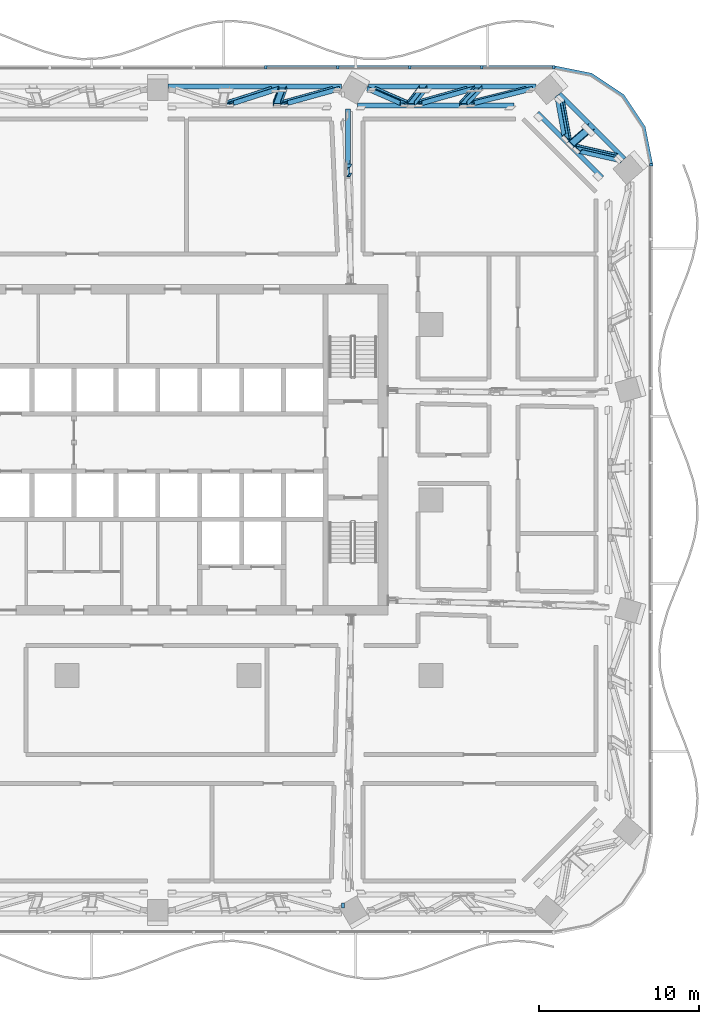
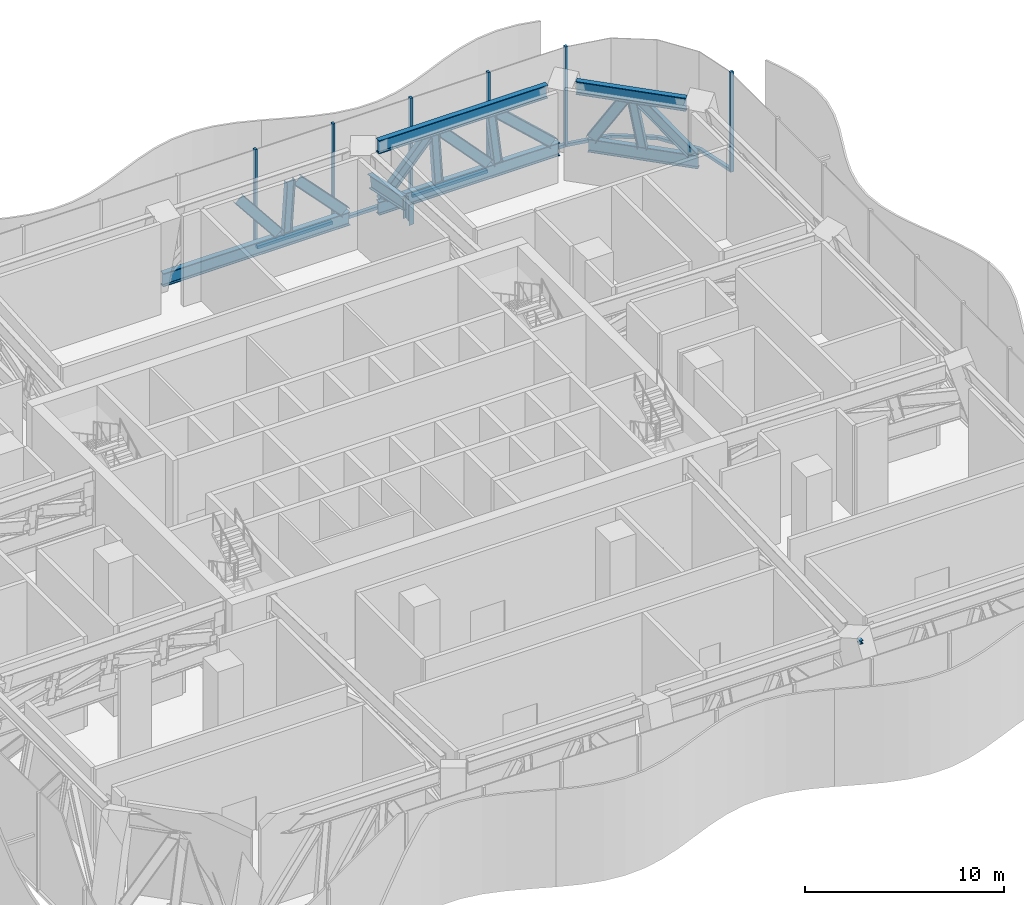
# One storey, part 8 of 32: 29 members, 1 beam, 3 elements without a shape of their own.
"""IFC4 building model written with IfcOpenShell, lengths in metres."""

import ifcopenshell
import ifcopenshell.guid

model = None  # the IFC model being written
_history = None  # IfcOwnerHistory: only IFC2X3 demands one
_inside = {}  # id of a spatial element -> (the spatial element, [elements in it])
_under = {}  # id of a project, library or spatial element -> (it, [spatial elements below it])
_declared = {}  # id of a project -> (the project, [libraries it declares])
_typed = {}  # id of a type object -> (the type object, [elements of that type])
_made_of = {}  # id of a material, layer set ... -> (it, [elements and type objects made of it])


def new_model(schema):
    """Start an empty IFC model of exactly this schema.

    Asked for "IFC4X3", IfcOpenShell would pick the latest addendum, in which some entities
    have other attributes; the version numbers below select the first issue.
    IFC2X3 requires an IfcOwnerHistory on every rooted entity: one is made here for all.
    """
    global model, _history
    if schema == "IFC4X3":
        model = ifcopenshell.file(schema_version=(4, 3, 0, 0))
    else:
        model = ifcopenshell.file(schema=schema)
    _inside.clear()
    _under.clear()
    _declared.clear()
    _typed.clear()
    _made_of.clear()
    _history = None
    if model.schema == "IFC2X3":
        org = make("IfcOrganization", Name="unknown")
        user = make(
            "IfcPersonAndOrganization",
            ThePerson=make("IfcPerson", FamilyName="unknown"),
            TheOrganization=org,
        )
        app = make(
            "IfcApplication",
            ApplicationDeveloper=org,
            Version="unknown",
            ApplicationFullName="unknown",
            ApplicationIdentifier="unknown",
        )
        _history = make(
            "IfcOwnerHistory",
            OwningUser=user,
            OwningApplication=app,
            ChangeAction="ADDED",
            CreationDate=0,
        )
    return model


def make(cls, **values):
    """One entity of the class cls with the attributes given. An attribute that is None is left unset."""
    return model.create_entity(
        cls, **{name: value for name, value in values.items() if value is not None}
    )


def rooted(cls, **values):
    """An entity with a GlobalId (a new one), such as an element, a storey or a relation."""
    return make(cls, GlobalId=ifcopenshell.guid.new(), OwnerHistory=_history, **values)


def si_unit(unit_type, name, prefix=None):
    """IfcSIUnit, for example si_unit("LENGTHUNIT", "METRE", prefix="MILLI")."""
    return make("IfcSIUnit", UnitType=unit_type, Prefix=prefix, Name=name)


def assignment(units):
    """IfcUnitAssignment: the units of a project."""
    return None if units is None else make("IfcUnitAssignment", Units=units)


def point(xyz):
    """IfcCartesianPoint."""
    return None if xyz is None else make("IfcCartesianPoint", Coordinates=xyz)


def direction(xyz):
    """IfcDirection."""
    return None if xyz is None else make("IfcDirection", DirectionRatios=xyz)


def frame(location, z_axis=None, x_axis=None):
    """IfcAxis2Placement3D, a coordinate frame: its origin and axes. An axis left out is left unset."""
    return make(
        "IfcAxis2Placement3D",
        Location=point(location),
        Axis=direction(z_axis),
        RefDirection=direction(x_axis),
    )


def frame_2d(location, x_axis=None):
    """IfcAxis2Placement2D, a coordinate frame in the plane: its origin and x axis."""
    return make(
        "IfcAxis2Placement2D", Location=point(location), RefDirection=direction(x_axis)
    )


def origin():
    """The frame at (0, 0, 0) with its axes left unset."""
    return frame((0.0, 0.0, 0.0))


def origin_2d():
    """The frame at (0, 0) in the plane with its x axis left unset."""
    return frame_2d((0.0, 0.0))


def place(relative_to, where):
    """IfcLocalPlacement: puts the frame where relative to a parent placement (None: the world)."""
    return make(
        "IfcLocalPlacement", PlacementRelTo=relative_to, RelativePlacement=where
    )


def context(
    kind, dimensions, precision=None, world=None, true_north=None, identifier=None
):
    """IfcGeometricRepresentationContext, for example the 3D "Model" context."""
    return make(
        "IfcGeometricRepresentationContext",
        ContextIdentifier=identifier,
        ContextType=kind,
        CoordinateSpaceDimension=dimensions,
        Precision=precision,
        WorldCoordinateSystem=world,
        TrueNorth=true_north,
    )


def subcontext(parent, identifier, kind, view, scale=None):
    """IfcGeometricRepresentationSubContext, for example "Body" below "Model"."""
    return make(
        "IfcGeometricRepresentationSubContext",
        ContextIdentifier=identifier,
        ContextType=kind,
        ParentContext=parent,
        TargetScale=scale,
        TargetView=view,
    )


def project(units=None, contexts=None):
    """IfcProject with its units and contexts."""
    return rooted(
        "IfcProject",
        Name="project",
        RepresentationContexts=contexts,
        UnitsInContext=assignment(units),
    )


def spatial(cls, under=None, at=None, **own):
    """A site, building, storey or space (cls), placed at a placement, below another one or the project."""
    s = rooted(cls, ObjectPlacement=at, **own)
    if under is not None:
        _under.setdefault(under.id(), (under, []))[1].append(s)
    return s


def polyline(points):
    """IfcPolyline through the points."""
    return make("IfcPolyline", Points=[point(p) for p in points])


def profile(cls, at=None, kind="AREA", **sizes):
    """A parametric profile (cls). Its sizes go by their IFC names, for example OverallWidth=200.0."""
    return make(cls, ProfileType=kind, Position=at, **sizes)


def rectangle(**sizes):
    """IfcRectangleProfileDef."""
    return profile("IfcRectangleProfileDef", **sizes)


def i_section(**sizes):
    """IfcIShapeProfileDef."""
    return profile("IfcIShapeProfileDef", **sizes)


def outline(outer, holes=None, kind="AREA"):
    """IfcArbitraryClosedProfileDef: a profile drawn as a closed curve; with holes, ...WithVoids."""
    if holes is None:
        return make("IfcArbitraryClosedProfileDef", ProfileType=kind, OuterCurve=outer)
    return make(
        "IfcArbitraryProfileDefWithVoids",
        ProfileType=kind,
        OuterCurve=outer,
        InnerCurves=holes,
    )


def extrude(swept, where, along, depth):
    """IfcExtrudedAreaSolid: the profile swept, set in the frame where, extruded along a direction by depth."""
    return make(
        "IfcExtrudedAreaSolid",
        SweptArea=swept,
        Position=where,
        ExtrudedDirection=direction(along),
        Depth=depth,
    )


def shape(context_of_items, identifier, shape_type, items):
    """IfcShapeRepresentation: the items that make up one representation, for example the "Body"."""
    return make(
        "IfcShapeRepresentation",
        ContextOfItems=context_of_items,
        RepresentationIdentifier=identifier,
        RepresentationType=shape_type,
        Items=items,
    )


def material(Name=None, Category=None):
    """IfcMaterial."""
    return make("IfcMaterial", Name=Name, Category=Category)


def material_profile(
    of_material, cross_section, Name=None, Category=None, Priority=None
):
    """IfcMaterialProfile: a cross section and its material."""
    return make(
        "IfcMaterialProfile",
        Name=Name,
        Material=of_material,
        Profile=cross_section,
        Priority=Priority,
        Category=Category,
    )


def profile_set(profiles, Name=None, composite=None):
    """IfcMaterialProfileSet."""
    return make(
        "IfcMaterialProfileSet",
        Name=Name,
        MaterialProfiles=profiles,
        CompositeProfile=composite,
    )


def made_of(thing, what):
    """Note that an element or type object is made of a material, layer set ...; save() writes the relation."""
    if what is not None:
        _made_of.setdefault(what.id(), (what, []))[1].append(thing)
    return thing


def type_object(cls, material=None, **own):
    """A type object (cls), such as IfcWallType, which elements share."""
    return made_of(rooted(cls, **own), material)


def element(
    cls,
    number,
    at=None,
    inside=None,
    cuts=None,
    type_object=None,
    material=None,
    context=None,
    identifier="Body",
    shape_type=None,
    held_by="IfcProductDefinitionShape",
    body=None,
    shapes=None,
    **own,
):
    """One element of the class cls, such as IfcWall. Its Tag is "e" and its number.

    at: its placement. inside: the storey or other place that contains it. cuts: it is an
    opening in that element (IfcRelVoidsElement). A single representation is given by context,
    identifier, shape_type and body (its items); several are given by shapes. held_by: the class
    of the entity that holds the representations. save() writes the other relations.
    """
    e = rooted(cls, Tag="e%d" % number, ObjectPlacement=at, **own)
    if body is not None:
        shapes = [shape(context, identifier, shape_type, body)]
    if shapes is not None:
        e.Representation = make(held_by, Representations=shapes)
    if inside is not None:
        _inside.setdefault(inside.id(), (inside, []))[1].append(e)
    if cuts is not None:
        rooted(
            "IfcRelVoidsElement", RelatingBuildingElement=cuts, RelatedOpeningElement=e
        )
    if type_object is not None:
        _typed.setdefault(type_object.id(), (type_object, []))[1].append(e)
    return made_of(e, material)


def aggregate(whole, parts):
    """IfcRelAggregates: a whole, such as a stair, and the parts it consists of."""
    return rooted("IfcRelAggregates", RelatingObject=whole, RelatedObjects=parts)


def save(model, path):
    """Write the relations noted so far, then the file.

    IfcRelAggregates (storeys below a building ...), IfcRelContainedInSpatialStructure (elements
    in a storey), IfcRelDefinesByType, IfcRelAssociatesMaterial and IfcRelDeclares: one each for
    every whole, place, type object, material and project.
    """
    for whole, parts in _under.values():
        aggregate(whole, parts)
    for where, things in _inside.values():
        rooted(
            "IfcRelContainedInSpatialStructure",
            RelatedElements=things,
            RelatingStructure=where,
        )
    for kind, things in _typed.values():
        rooted("IfcRelDefinesByType", RelatedObjects=things, RelatingType=kind)
    for what, things in _made_of.values():
        rooted("IfcRelAssociatesMaterial", RelatedObjects=things, RelatingMaterial=what)
    for by, libraries in _declared.values():
        rooted("IfcRelDeclares", RelatingContext=by, RelatedDefinitions=libraries)
    model.write(path)


model = new_model("IFC4")

# Units and contexts
model_context = context("Model", 3, precision=1e-05, world=origin(), true_north=direction((0.0, 1.0)))
body_context = subcontext(model_context, "Body", "Model", "MODEL_VIEW")
ifc_project = project(units=[si_unit("LENGTHUNIT", "METRE"), si_unit("AREAUNIT", "SQUARE_METRE"), si_unit("VOLUMEUNIT", "CUBIC_METRE"), si_unit("PLANEANGLEUNIT", "RADIAN"), si_unit("MASSUNIT", "GRAM", prefix="KILO")], contexts=[model_context])

# Site, building, storey
site_placement = place(None, origin())
site = spatial("IfcSite", under=ifc_project, at=site_placement, CompositionType="ELEMENT")
building_placement = place(site_placement, origin())
building = spatial("IfcBuilding", under=site, at=building_placement, Name="Mopane Tessera Tower", CompositionType="ELEMENT")
storey_placement = place(building_placement, frame((0.0, 0.0, 88.60009765625)))
storey = spatial("IfcBuildingStorey", under=building, at=storey_placement, Name="L17", CompositionType="ELEMENT", Elevation=88.60009765625)

# Curtain wall, member
ifc_material_1 = material(Name="Aluminium frame", Category="aluminium")
curtain_wall_type = type_object("IfcCurtainWallType", Name="Plant floor unitised wall", PredefinedType="NOTDEFINED", material=ifc_material_1)
curtain_wall_1_placement = place(storey_placement, origin())
curtain_wall_1 = element("IfcCurtainWall", 1, at=curtain_wall_1_placement, inside=storey, type_object=curtain_wall_type, Name="e:cw:L17:E:0", PredefinedType="NOTDEFINED")
ifc_material_2 = material(Name="Aluminium frame", Category="aluminium")
ifc_material_profile_1 = material_profile(ifc_material_2, rectangle(XDim=0.139892578125, YDim=0.199951171875, at=origin_2d()))
ifc_profile_set_1 = profile_set([ifc_material_profile_1], Name="Aluminium frame")
member_type_1 = type_object("IfcMemberType", Name="Aluminium mullion 140 x 200", PredefinedType="MULLION", material=ifc_profile_set_1)
member_1_placement = place(storey_placement, frame((30.89990234375, 21.0, -0.60009765625), z_axis=(0.0, 0.0, 1.0), x_axis=(0.0, 1.0, 0.0)))
member_1 = element("IfcMember", 2, at=member_1_placement, type_object=member_type_1, Name="e:cw:L17:E:0:mu9", PredefinedType="MULLION", context=body_context, shape_type="SweptSolid", body=[
    extrude(rectangle(XDim=0.139892578125, YDim=0.199951171875, at=origin_2d()), origin(), (0.0, 0.0, 1.0), 6.14990234375),
])
aggregate(curtain_wall_1, [member_1])

# Curtain wall, members
curtain_wall_2_placement = place(storey_placement, origin())
curtain_wall_2 = element("IfcCurtainWall", 3, at=curtain_wall_2_placement, inside=storey, type_object=curtain_wall_type, Name="e:cw:L17:N:0", PredefinedType="NOTDEFINED")
member_2_placement = place(storey_placement, frame((24.800048828125, 27.10009765625, -0.60009765625), z_axis=(0.0, 0.0, 1.0), x_axis=(-1.0, 0.0, 0.0)))
member_2 = element("IfcMember", 4, at=member_2_placement, type_object=member_type_1, Name="e:cw:L17:N:0:mu0", PredefinedType="MULLION", context=body_context, shape_type="SweptSolid", body=[
    extrude(rectangle(XDim=0.139892578125, YDim=0.199951171875, at=origin_2d()), origin(), (0.0, 0.0, 1.0), 6.14990234375),
])
member_3_placement = place(storey_placement, frame((20.291015625, 27.10009765625, -0.60009765625), z_axis=(0.0, 0.0, 1.0), x_axis=(-1.0, 0.0, 0.0)))
member_3 = element("IfcMember", 5, at=member_3_placement, type_object=member_type_1, Name="e:cw:L17:N:0:mu1", PredefinedType="MULLION", context=body_context, shape_type="SweptSolid", body=[
    extrude(rectangle(XDim=0.139892578125, YDim=0.199951171875, at=origin_2d()), origin(), (0.0, 0.0, 1.0), 6.14990234375),
])
member_4_placement = place(storey_placement, frame((15.78173828125, 27.10009765625, -0.60009765625), z_axis=(0.0, 0.0, 1.0), x_axis=(-1.0, 0.0, 0.0)))
member_4 = element("IfcMember", 6, at=member_4_placement, type_object=member_type_1, Name="e:cw:L17:N:0:mu2", PredefinedType="MULLION", context=body_context, shape_type="SweptSolid", body=[
    extrude(rectangle(XDim=0.139892578125, YDim=0.199951171875, at=origin_2d()), origin(), (0.0, 0.0, 1.0), 6.14990234375),
])
member_5_placement = place(storey_placement, frame((11.272705078125, 27.10009765625, -0.60009765625), z_axis=(0.0, 0.0, 1.0), x_axis=(-1.0, 0.0, 0.0)))
member_5 = element("IfcMember", 7, at=member_5_placement, type_object=member_type_1, Name="e:cw:L17:N:0:mu3", PredefinedType="MULLION", context=body_context, shape_type="SweptSolid", body=[
    extrude(rectangle(XDim=0.139892578125, YDim=0.199951171875, at=origin_2d()), origin(), (0.0, 0.0, 1.0), 6.14990234375),
])
member_6_placement = place(storey_placement, frame((6.763671875, 27.10009765625, -0.60009765625), z_axis=(0.0, 0.0, 1.0), x_axis=(-1.0, 0.0, 0.0)))
member_6 = element("IfcMember", 8, at=member_6_placement, type_object=member_type_1, Name="e:cw:L17:N:0:mu4", PredefinedType="MULLION", context=body_context, shape_type="SweptSolid", body=[
    extrude(rectangle(XDim=0.139892578125, YDim=0.199951171875, at=origin_2d()), origin(), (0.0, 0.0, 1.0), 6.14990234375),
])

# Curtain wall, member
curtain_wall_3_placement = place(storey_placement, origin())
curtain_wall_3 = element("IfcCurtainWall", 9, at=curtain_wall_3_placement, inside=storey, type_object=curtain_wall_type, Name="e:cw:L17:CE", PredefinedType="NOTDEFINED")
ifc_material_3 = material(Name="Aluminium frame", Category="aluminium")
ifc_material_profile_2 = material_profile(ifc_material_3, rectangle(XDim=0.199951171875, YDim=0.179931640625, at=origin_2d()))
ifc_profile_set_2 = profile_set([ifc_material_profile_2], Name="Aluminium frame")
member_type_2 = type_object("IfcMemberType", Name="Aluminium transom 200 x 180", PredefinedType="USERDEFINED", material=ifc_profile_set_2)
member_7_placement = place(storey_placement, frame((0.0, 0.0, -0.60009765625)))
member_7 = element("IfcMember", 10, at=member_7_placement, type_object=member_type_2, Name="e:cw:L17:CE:tr", ObjectType="TRANSOM", PredefinedType="USERDEFINED", context=body_context, shape_type="SweptSolid", body=[
    extrude(outline(polyline([(30.800048828125, 21.0), (30.34326171875, 23.296142578125), (29.042724609375, 25.24267578125), (27.09619140625, 26.543212890625), (24.800048828125, 27.0), (24.800048828125, 27.199951171875), (27.172607421875, 26.72802734375), (29.18408203125, 25.384033203125), (30.528076171875, 23.37255859375), (31.0, 21.0), (30.800048828125, 21.0)])), origin(), (0.0, 0.0, 1.0), 0.179931640625),
])
aggregate(curtain_wall_3, [member_7])

# Member
member_8_placement = place(storey_placement, frame((24.72998046875, 27.10009765625, -0.510009765625), z_axis=(-1.0, 0.0, 0.0), x_axis=(0.0, -1.0, 0.0)))
member_8 = element("IfcMember", 11, at=member_8_placement, type_object=member_type_2, Name="e:cw:L17:N:0:tr0", ObjectType="TRANSOM", PredefinedType="USERDEFINED", context=body_context, shape_type="SweptSolid", body=[
    extrude(rectangle(XDim=0.199951171875, YDim=0.179931640625, at=origin_2d()), origin(), (0.0, 0.0, 1.0), 4.369140625),
])

member_9_placement = place(storey_placement, frame((20.220947265625, 27.10009765625, -0.510009765625), z_axis=(-1.0, 0.0, 0.0), x_axis=(0.0, -1.0, 0.0)))
member_9 = element("IfcMember", 12, at=member_9_placement, type_object=member_type_2, Name="e:cw:L17:N:0:tr1", ObjectType="TRANSOM", PredefinedType="USERDEFINED", context=body_context, shape_type="SweptSolid", body=[
    extrude(rectangle(XDim=0.199951171875, YDim=0.179931640625, at=origin_2d()), origin(), (0.0, 0.0, 1.0), 4.369140625),
])

member_10_placement = place(storey_placement, frame((15.7119140625, 27.10009765625, -0.510009765625), z_axis=(-1.0, 0.0, 0.0), x_axis=(0.0, -1.0, 0.0)))
member_10 = element("IfcMember", 13, at=member_10_placement, type_object=member_type_2, Name="e:cw:L17:N:0:tr2", ObjectType="TRANSOM", PredefinedType="USERDEFINED", context=body_context, shape_type="SweptSolid", body=[
    extrude(rectangle(XDim=0.199951171875, YDim=0.179931640625, at=origin_2d()), origin(), (0.0, 0.0, 1.0), 4.369140625),
])

member_11_placement = place(storey_placement, frame((11.20263671875, 27.10009765625, -0.510009765625), z_axis=(-1.0, 0.0, 0.0), x_axis=(0.0, -1.0, 0.0)))
member_11 = element("IfcMember", 14, at=member_11_placement, type_object=member_type_2, Name="e:cw:L17:N:0:tr3", ObjectType="TRANSOM", PredefinedType="USERDEFINED", context=body_context, shape_type="SweptSolid", body=[
    extrude(rectangle(XDim=0.199951171875, YDim=0.179931640625, at=origin_2d()), origin(), (0.0, 0.0, 1.0), 4.368896484375),
])

aggregate(curtain_wall_2, [member_2, member_3, member_4, member_5, member_6, member_8, member_9, member_10, member_11])

# Members
ifc_material_4 = material(Name="Structural steel S460", Category="steel")
ifc_material_profile_3 = material_profile(ifc_material_4, i_section(OverallWidth=0.302978515625, OverallDepth=0.81396484375, WebThickness=0.02099609375, FlangeThickness=0.0400390625, FilletRadius=0.030029296875, at=origin_2d()))
ifc_profile_set_3 = profile_set([ifc_material_profile_3], Name="Structural steel S460")
member_type_3 = type_object("IfcMemberType", Name="Belt truss chord HE 800 M", PredefinedType="CHORD", material=ifc_profile_set_3)
for number, where, z_axis, x_axis, name in (
    (15, (29.21240234375, 21.3671875, 0.406982421875), (-0.707106781187, 0.707106781187, 0.0), (-0.707106781187, -0.707106781187, 0.0), "Belt truss bottom chord L17 E3-N0"),
    (16, (27.8310546875, 20.18310546875, 5.142822265625), (-0.707106781187, 0.707106781187, 0.0), (-0.707106781187, -0.707106781187, 0.0), "Belt truss top chord L17 E3-N0"),
):
    element("IfcMember", number, at=place(storey_placement, frame(where, z_axis=z_axis, x_axis=x_axis)), inside=storey, type_object=member_type_3, Name=name, PredefinedType="CHORD", context=body_context, shape_type="SweptSolid", body=[
        extrude(i_section(OverallWidth=0.302978515625, OverallDepth=0.81396484375, WebThickness=0.02099609375, FlangeThickness=0.0400390625, FilletRadius=0.030029296875, at=origin_2d()), origin(), (0.0, 0.0, 1.0), 5.744873046875),
    ])
member_12_placement = place(storey_placement, frame((23.68896484375, 25.898193359375, 0.406982421875), z_axis=(-1.0, 0.0, 0.0), x_axis=(0.0, -1.0, 0.0)))
element("IfcMember", 17, at=member_12_placement, inside=storey, type_object=member_type_3, Name="Belt truss bottom chord L17 N0-N1", PredefinedType="CHORD", context=body_context, shape_type="SweptSolid", body=[
    extrude(i_section(OverallWidth=0.302978515625, OverallDepth=0.81396484375, WebThickness=0.02099609375, FlangeThickness=0.0400390625, FilletRadius=0.030029296875, at=origin_2d()), origin(), (0.0, 0.0, 1.0), 10.508056640625),
])
member_13_placement = place(storey_placement, frame((22.3076171875, 24.71435546875, 5.142822265625), z_axis=(-1.0, 0.0, 0.0), x_axis=(0.0, -1.0, 0.0)))
element("IfcMember", 18, at=member_13_placement, inside=storey, type_object=member_type_3, Name="Belt truss top chord L17 N0-N1", PredefinedType="CHORD", context=body_context, shape_type="SweptSolid", body=[
    extrude(i_section(OverallWidth=0.302978515625, OverallDepth=0.81396484375, WebThickness=0.02099609375, FlangeThickness=0.0400390625, FilletRadius=0.030029296875, at=origin_2d()), origin(), (0.0, 0.0, 1.0), 9.8173828125),
])
member_14_placement = place(storey_placement, frame((11.500244140625, 25.898193359375, 0.406982421875), z_axis=(-1.0, 0.0, 0.0), x_axis=(0.0, -1.0, 0.0)))
element("IfcMember", 19, at=member_14_placement, inside=storey, type_object=member_type_3, Name="Belt truss bottom chord L17 N1-N2", PredefinedType="CHORD", context=body_context, shape_type="SweptSolid", body=[
    extrude(i_section(OverallWidth=0.302978515625, OverallDepth=0.81396484375, WebThickness=0.02099609375, FlangeThickness=0.0400390625, FilletRadius=0.030029296875, at=origin_2d()), origin(), (0.0, 0.0, 1.0), 10.850830078125),
])
ifc_material_5 = material(Name="Structural steel S460", Category="steel")
ifc_material_profile_4 = material_profile(ifc_material_5, i_section(OverallWidth=0.300048828125, OverallDepth=0.60009765625, WebThickness=0.015380859375, FlangeThickness=0.030029296875, FilletRadius=0.027099609375, at=origin_2d()))
ifc_profile_set_4 = profile_set([ifc_material_profile_4], Name="Structural steel S460")
member_type_4 = type_object("IfcMemberType", Name="Belt truss diagonal HE 600 B", PredefinedType="BRACE", material=ifc_profile_set_4)
member_15_placement = place(storey_placement, frame((28.890869140625, 21.40576171875, 0.929443359375), z_axis=(-0.569875535143, 0.130407528995, 0.811317293558), x_axis=(-0.557621124298, -0.786576730003, -0.265246544848)))
element("IfcMember", 20, at=member_15_placement, inside=storey, type_object=member_type_4, Name="Belt truss diagonal 0 L17 E3-N0", PredefinedType="BRACE", context=body_context, shape_type="SweptSolid", body=[
    extrude(i_section(OverallWidth=0.300048828125, OverallDepth=0.60009765625, WebThickness=0.015380859375, FlangeThickness=0.030029296875, FilletRadius=0.027099609375, at=origin_2d()), origin(), (0.0, 0.0, 1.0), 4.54931640625),
])
member_16_placement = place(storey_placement, frame((25.6064453125, 22.69091796875, 4.620361328125), z_axis=(-0.098851267283, 0.548569616047, -0.830240810432), x_axis=(-0.778985844771, -0.561817424332, -0.278464064761)))
element("IfcMember", 21, at=member_16_placement, inside=storey, type_object=member_type_4, Name="Belt truss diagonal 1 L17 E3-N0", PredefinedType="BRACE", context=body_context, shape_type="SweptSolid", body=[
    extrude(i_section(OverallWidth=0.300048828125, OverallDepth=0.60009765625, WebThickness=0.015380859375, FlangeThickness=0.030029296875, FilletRadius=0.027099609375, at=origin_2d()), origin(), (0.0, 0.0, 1.0), 4.445556640625),
])
member_17_placement = place(storey_placement, frame((23.262451171875, 25.7587890625, 0.96484375), z_axis=(-0.699650362609, -0.173288160232, 0.693152640928), x_axis=(0.123111197199, -0.984871165894, -0.121952530583)))
element("IfcMember", 22, at=member_17_placement, inside=storey, type_object=member_type_4, Name="Belt truss diagonal 0 L17 N0-N1", PredefinedType="BRACE", context=body_context, shape_type="SweptSolid", body=[
    extrude(i_section(OverallWidth=0.300048828125, OverallDepth=0.60009765625, WebThickness=0.015380859375, FlangeThickness=0.030029296875, FilletRadius=0.027099609375, at=origin_2d()), origin(), (0.0, 0.0, 1.0), 5.22265625),
])
member_18_placement = place(storey_placement, frame((19.562744140625, 25.76220703125, 0.950927734375), z_axis=(-0.653014036863, -0.183660197868, 0.734739136959), x_axis=(0.121992744875, -0.98298979207, -0.13729107358)))
element("IfcMember", 23, at=member_18_placement, inside=storey, type_object=member_type_4, Name="Belt truss diagonal 1 L17 N0-N1", PredefinedType="BRACE", context=body_context, shape_type="SweptSolid", body=[
    extrude(i_section(OverallWidth=0.300048828125, OverallDepth=0.60009765625, WebThickness=0.015380859375, FlangeThickness=0.030029296875, FilletRadius=0.027099609375, at=origin_2d()), origin(), (0.0, 0.0, 1.0), 4.96484375),
])
member_19_placement = place(storey_placement, frame((15.432373046875, 24.853759765625, 4.5849609375), z_axis=(-0.486371976666, 0.211915951751, -0.847663807006), x_axis=(-0.105491827337, -0.97728789438, -0.183792942911)))
element("IfcMember", 24, at=member_19_placement, inside=storey, type_object=member_type_4, Name="Belt truss diagonal 2 L17 N0-N1", PredefinedType="BRACE", context=body_context, shape_type="SweptSolid", body=[
    extrude(i_section(OverallWidth=0.300048828125, OverallDepth=0.60009765625, WebThickness=0.015380859375, FlangeThickness=0.030029296875, FilletRadius=0.027099609375, at=origin_2d()), origin(), (0.0, 0.0, 1.0), 4.270751953125),
])
member_20_placement = place(storey_placement, frame((11.16748046875, 25.757080078125, 0.97119140625), z_axis=(-0.658870753791, -0.182448917879, 0.729795671516), x_axis=(0.122259863731, -0.983215333665, -0.135425748537)))
element("IfcMember", 25, at=member_20_placement, inside=storey, type_object=member_type_4, Name="Belt truss diagonal 0 L17 N1-N2", PredefinedType="BRACE", context=body_context, shape_type="SweptSolid", body=[
    extrude(i_section(OverallWidth=0.300048828125, OverallDepth=0.60009765625, WebThickness=0.015380859375, FlangeThickness=0.030029296875, FilletRadius=0.027099609375, at=origin_2d()), origin(), (0.0, 0.0, 1.0), 4.943115234375),
])
member_21_placement = place(storey_placement, frame((7.345947265625, 25.760498046875, 0.957763671875), z_axis=(-0.603618158077, -0.193342787828, 0.773475071114), x_axis=(0.118954269211, -0.98113126867, -0.152418225533)))
element("IfcMember", 26, at=member_21_placement, inside=storey, type_object=member_type_4, Name="Belt truss diagonal 1 L17 N1-N2", PredefinedType="BRACE", context=body_context, shape_type="SweptSolid", body=[
    extrude(i_section(OverallWidth=0.300048828125, OverallDepth=0.60009765625, WebThickness=0.015380859375, FlangeThickness=0.030029296875, FilletRadius=0.027099609375, at=origin_2d()), origin(), (0.0, 0.0, 1.0), 4.69873046875),
])
ifc_material_6 = material(Name="Structural steel S460", Category="steel")
ifc_material_profile_5 = material_profile(ifc_material_6, i_section(OverallWidth=0.300048828125, OverallDepth=0.5, WebThickness=0.014404296875, FlangeThickness=0.028076171875, FilletRadius=0.027099609375, at=origin_2d()))
ifc_profile_set_5 = profile_set([ifc_material_profile_5], Name="Structural steel S460")
member_type_5 = type_object("IfcMemberType", Name="Belt truss post HE 500 B", PredefinedType="POST", material=ifc_profile_set_5)
member_22_placement = place(storey_placement, frame((27.062744140625, 23.29638671875, 0.81396484375), z_axis=(-0.272304312677, -0.233370490762, 0.933481963049), x_axis=(-0.652958739666, -0.667758104727, -0.357412923472)))
element("IfcMember", 27, at=member_22_placement, inside=storey, type_object=member_type_5, Name="Belt truss post 1 L17 E3-N0", PredefinedType="POST", context=body_context, shape_type="SweptSolid", body=[
    extrude(i_section(OverallWidth=0.300048828125, OverallDepth=0.5, WebThickness=0.014404296875, FlangeThickness=0.028076171875, FilletRadius=0.027099609375, at=origin_2d()), origin(), (0.0, 0.0, 1.0), 4.201416015625),
])
member_23_placement = place(storey_placement, frame((20.066650390625, 25.79638671875, 0.81396484375), z_axis=(-0.225241193475, -0.236303195662, 0.945212782648), x_axis=(0.054739580111, -0.971679370141, -0.229875575064)))
element("IfcMember", 28, at=member_23_placement, inside=storey, type_object=member_type_5, Name="Belt truss post 1 L17 N0-N1", PredefinedType="POST", context=body_context, shape_type="SweptSolid", body=[
    extrude(i_section(OverallWidth=0.300048828125, OverallDepth=0.5, WebThickness=0.014404296875, FlangeThickness=0.028076171875, FilletRadius=0.027099609375, at=origin_2d()), origin(), (0.0, 0.0, 1.0), 4.149169921875),
])
member_24_placement = place(storey_placement, frame((16.61669921875, 25.79638671875, 0.81396484375), z_axis=(-0.187971798215, -0.238212288303, 0.952849153212), x_axis=(0.046211648461, -0.971213104539, -0.233686946829)))
element("IfcMember", 29, at=member_24_placement, inside=storey, type_object=member_type_5, Name="Belt truss post 2 L17 N0-N1", PredefinedType="POST", context=body_context, shape_type="SweptSolid", body=[
    extrude(i_section(OverallWidth=0.300048828125, OverallDepth=0.5, WebThickness=0.014404296875, FlangeThickness=0.028076171875, FilletRadius=0.027099609375, at=origin_2d()), origin(), (0.0, 0.0, 1.0), 4.115966796875),
])
member_25_placement = place(storey_placement, frame((7.8251953125, 25.79638671875, 0.81396484375), z_axis=(-0.089801461096, -0.241555705131, 0.966222820525), x_axis=(0.022278065157, -0.970386951601, -0.240526198105)))
element("IfcMember", 30, at=member_25_placement, inside=storey, type_object=member_type_5, Name="Belt truss post 1 L17 N1-N2", PredefinedType="POST", context=body_context, shape_type="SweptSolid", body=[
    extrude(i_section(OverallWidth=0.300048828125, OverallDepth=0.5, WebThickness=0.014404296875, FlangeThickness=0.028076171875, FilletRadius=0.027099609375, at=origin_2d()), origin(), (0.0, 0.0, 1.0), 4.05908203125),
])
ifc_material_7 = material(Name="Structural steel S460", Category="steel")
ifc_material_profile_6 = material_profile(ifc_material_7, i_section(OverallWidth=0.300048828125, OverallDepth=0.800048828125, WebThickness=0.017578125, FlangeThickness=0.032958984375, FilletRadius=0.030029296875, at=origin_2d()))
ifc_profile_set_6 = profile_set([ifc_material_profile_6], Name="Structural steel S460")
member_type_6 = type_object("IfcMemberType", Name="Outrigger truss diagonal HE 800 B", PredefinedType="BRACE", material=ifc_profile_set_6)
member_26_placement = place(storey_placement, frame((11.899169921875, 20.917724609375, 4.15966796875), z_axis=(0.003895253523, 0.978392012143, -0.206721787856), x_axis=(-0.999991595573, 0.003546714233, -0.00205659943)))
element("IfcMember", 31, at=member_26_placement, inside=storey, type_object=member_type_6, Name="Outrigger truss diagonal 2 L17 N1", PredefinedType="BRACE", context=body_context, shape_type="SweptSolid", body=[
    extrude(i_section(OverallWidth=0.300048828125, OverallDepth=0.800048828125, WebThickness=0.017578125, FlangeThickness=0.032958984375, FilletRadius=0.030029296875, at=origin_2d()), origin(), (0.0, 0.0, 1.0), 3.572509765625),
])
ifc_material_8 = material(Name="Structural steel S460", Category="steel")
ifc_material_profile_7 = material_profile(ifc_material_8, i_section(OverallWidth=0.300048828125, OverallDepth=0.60009765625, WebThickness=0.015380859375, FlangeThickness=0.030029296875, FilletRadius=0.027099609375, at=origin_2d()))
ifc_profile_set_7 = profile_set([ifc_material_profile_7], Name="Structural steel S460")
member_type_7 = type_object("IfcMemberType", Name="Outrigger truss post HE 600 B", PredefinedType="POST", material=ifc_profile_set_7)
member_27_placement = place(storey_placement, frame((12.002685546875, 20.74658203125, 3.10791015625), z_axis=(-0.088652675346, -0.15199995565, 0.984396625673), x_axis=(-0.996043386883, 0.007389851203, -0.08856049653)))
element("IfcMember", 32, at=member_27_placement, inside=storey, type_object=member_type_7, Name="Outrigger truss post 2 L17 N1", PredefinedType="POST", context=body_context, shape_type="SweptSolid", body=[
    extrude(i_section(OverallWidth=0.300048828125, OverallDepth=0.60009765625, WebThickness=0.015380859375, FlangeThickness=0.030029296875, FilletRadius=0.027099609375, at=origin_2d()), origin(), (0.0, 0.0, 1.0), 1.456787109375),
])

# Beam
ifc_material_9 = material(Name="Structural steel S460", Category="steel")
ifc_material_profile_8 = material_profile(ifc_material_9, i_section(OverallWidth=0.199951171875, OverallDepth=0.199951171875, WebThickness=0.009033203125, FlangeThickness=0.014892578125, FilletRadius=0.01806640625, at=origin_2d()))
ifc_profile_set_8 = profile_set([ifc_material_profile_8], Name="Structural steel S460")
beam_type = type_object("IfcBeamType", Name="Terrace trimmer beam HE 200 B", PredefinedType="BEAM", material=ifc_profile_set_8)
beam_placement = place(storey_placement, frame((11.590576171875, -25.24755859375, 5.449951171875), z_axis=(0.0, -1.0, 0.0), x_axis=(1.0, 0.0, 0.0)))
element("IfcBeam", 33, at=beam_placement, inside=storey, type_object=beam_type, Name="Terrace trimmer beam N3 L18", PredefinedType="BEAM", context=body_context, shape_type="SweptSolid", body=[
    extrude(i_section(OverallWidth=0.199951171875, OverallDepth=0.199951171875, WebThickness=0.009033203125, FlangeThickness=0.014892578125, FilletRadius=0.01806640625, at=origin_2d()), origin(), (0.0, 0.0, 1.0), 0.31494140625),
])

save(model, "model.ifc")
